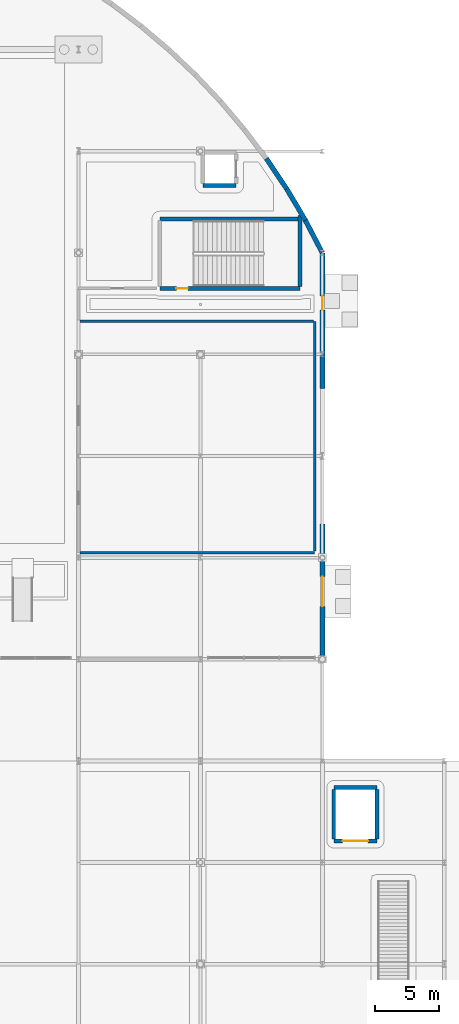
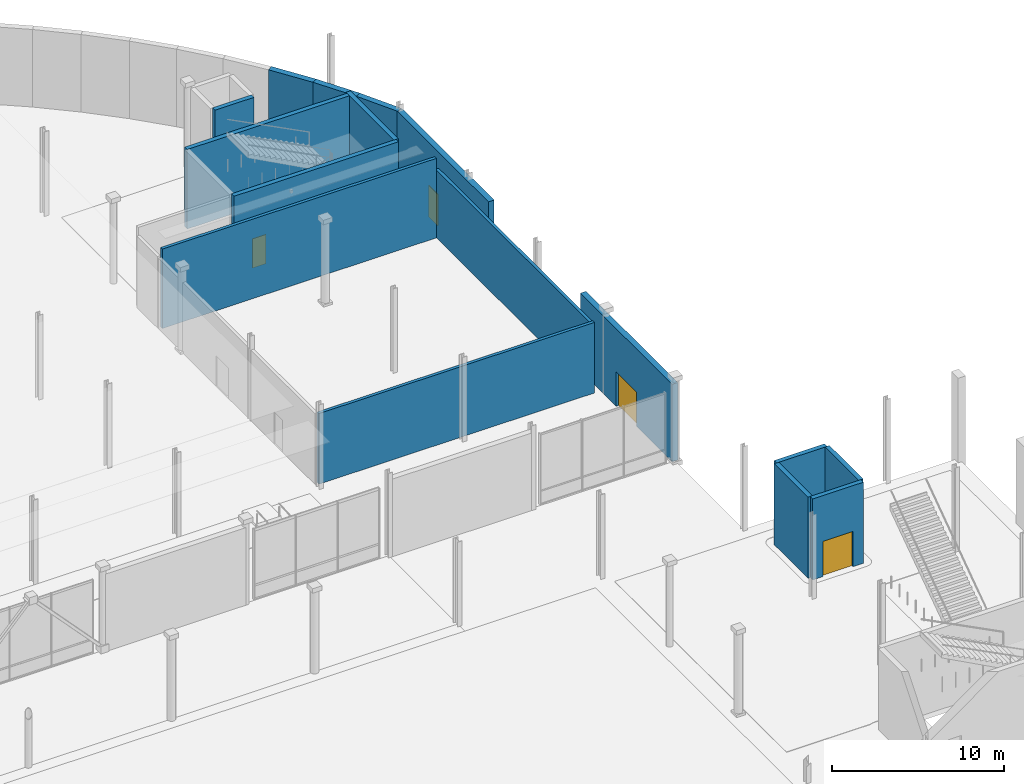
# One storey, part 85 of 124: 16 walls, 4 doors, 4 openings.
"""IFC4 building model written with IfcOpenShell, lengths in metres."""

from ifc_helpers import new_model, si_unit, direction, frame, frame_2d, origin, place, context, subcontext, project, spatial, rectangle, extrude, material, layer, layer_set, type_object, element, fill, save


model = new_model("IFC4")

# Units and contexts
model_context = context("Model", 3, precision=1e-05, world=origin(), true_north=direction((0.0, 1.0)))
body_context = subcontext(model_context, "Body", "Model", "MODEL_VIEW")
ifc_project = project(units=[si_unit("LENGTHUNIT", "METRE"), si_unit("AREAUNIT", "SQUARE_METRE"), si_unit("VOLUMEUNIT", "CUBIC_METRE"), si_unit("PLANEANGLEUNIT", "RADIAN"), si_unit("MASSUNIT", "GRAM", prefix="KILO")], contexts=[model_context])

# Site, building, storey
site_placement = place(None, origin())
site = spatial("IfcSite", under=ifc_project, at=site_placement, CompositionType="ELEMENT")
building_placement = place(site_placement, origin())
building = spatial("IfcBuilding", under=site, at=building_placement, Name="Danafjord Basin Convention Centre", CompositionType="ELEMENT")
storey_placement = place(building_placement, origin())
storey = spatial("IfcBuildingStorey", under=building, at=storey_placement, Name="L00", CompositionType="ELEMENT", Elevation=0.0)

# Wall, opening, door
ifc_material_1 = material(Name="Concrete C40/50", Category="concrete")
ifc_layer_1 = layer(ifc_material_1, 0.300048828125)
ifc_layer_set_1 = layer_set([ifc_layer_1], Name="Concrete C40/50")
wall_type_1 = type_object("IfcWallType", Name="WALL-CW-CORE300", PredefinedType="SHEAR", material=ifc_layer_set_1)
wall_1_placement = place(storey_placement, frame((199.840087890625, 117.199951171875, 0.0), z_axis=(0.0, 0.0, 1.0), x_axis=(-1.0, 0.0, 0.0)))
wall_1 = element("IfcWall", 1, at=wall_1_placement, inside=storey, type_object=wall_type_1, Name="Plenary North-East Core Stair 1 core shear wall (south)", PredefinedType="SHEAR", context=body_context, shape_type="SweptSolid", body=[
    extrude(rectangle(XDim=11.0400390625, YDim=0.300048828125, at=frame_2d((5.52001953125, 0.0))), origin(), (0.0, 0.0, 1.0), 5.639892578125),
])
opening_1_placement = place(wall_1_placement, frame((8.818115234375, 0.0, 0.0)))
opening_1 = element("IfcOpeningElement", 2, at=opening_1_placement, cuts=wall_1, Name="Opening FD-S01", PredefinedType="OPENING", context=body_context, shape_type="SweptSolid", body=[
    extrude(rectangle(XDim=0.909912109375, YDim=2.080078125, at=frame_2d((0.455078125, 1.0400390625))), frame((0.0, 0.159912109375, 0.0), z_axis=(0.0, -1.0, 0.0), x_axis=(1.0, 0.0, 0.0)), (0.0, 0.0, 1.0), 0.320068359375),
])
ifc_material_2 = material(Name="Powder-coated steel and Nordic oak", Category="steel")
door_type_1 = type_object("IfcDoorType", Name="DOOR-FD-S01", OperationType="NOTDEFINED", PredefinedType="DOOR", material=ifc_material_2)
door_1_placement = place(opening_1_placement, origin())
door_1 = element("IfcDoor", 3, at=door_1_placement, inside=storey, type_object=door_type_1, Name="Plenary North-East Core Stair 1 L00 Fire Exit Door", OperationType="SINGLE_SWING_LEFT", OverallHeight=2.080078125, OverallWidth=0.909912109375, PredefinedType="DOOR", context=body_context, shape_type="SweptSolid", body=[
    extrude(rectangle(XDim=0.909912109375, YDim=2.080078125, at=frame_2d((0.455078125, 1.0400390625))), frame((0.0, 0.02490234375, 0.0), z_axis=(0.0, -1.0, 0.0), x_axis=(1.0, 0.0, 0.0)), (0.0, 0.0, 1.0), 0.050048828125),
])
fill(opening_1, door_1)

# Walls
wall_2_placement = place(storey_placement, frame((199.840087890625, 122.922607421875, 0.0), z_axis=(0.0, 0.0, 1.0), x_axis=(0.0, -1.0, 0.0)))
element("IfcWall", 4, at=wall_2_placement, inside=storey, type_object=wall_type_1, Name="Plenary North-East Core Stair 1 core shear wall (east)", PredefinedType="SHEAR", context=body_context, shape_type="SweptSolid", body=[
    extrude(rectangle(XDim=5.587646484375, YDim=0.300048828125, at=frame_2d((2.7939453125, 0.0))), origin(), (0.0, 0.0, 1.0), 5.639892578125),
])
wall_3_placement = place(storey_placement, frame((188.800048828125, 122.659912109375, 0.0), z_axis=(0.0, 0.0, 1.0), x_axis=(1.0, 0.0, 0.0)))
element("IfcWall", 5, at=wall_3_placement, inside=storey, type_object=wall_type_1, Name="Plenary North-East Core Stair 1 core shear wall (north)", PredefinedType="SHEAR", context=body_context, shape_type="SweptSolid", body=[
    extrude(rectangle(XDim=10.905029296875, YDim=0.300048828125, at=frame_2d((5.45263671875, 0.0))), origin(), (0.0, 0.0, 1.0), 5.639892578125),
])
wall_4_placement = place(storey_placement, frame((192.199951171875, 125.300048828125, 0.0), z_axis=(0.0, 0.0, 1.0), x_axis=(1.0, 0.0, 0.0)))
element("IfcWall", 6, at=wall_4_placement, inside=storey, type_object=wall_type_1, Name="Lift LF-P05 shaft shear wall", PredefinedType="SHEAR", context=body_context, shape_type="SweptSolid", body=[
    extrude(rectangle(XDim=2.60009765625, YDim=0.300048828125, at=frame_2d((1.300048828125, 0.0))), origin(), (0.0, 0.0, 1.0), 5.639892578125),
])
wall_5_placement = place(storey_placement, frame((205.89990234375, 77.89990234375, 0.0), z_axis=(0.0, 0.0, 1.0), x_axis=(-1.0, 0.0, 0.0)))
element("IfcWall", 7, at=wall_5_placement, inside=storey, type_object=wall_type_1, Name="Lift LF-G02 shaft shear wall", PredefinedType="SHEAR", context=body_context, shape_type="SweptSolid", body=[
    extrude(rectangle(XDim=3.39990234375, YDim=0.300048828125, at=frame_2d((1.699951171875, 0.0))), origin(), (0.0, 0.0, 1.0), 5.75),
])

# Wall, opening, door
wall_6_placement = place(storey_placement, frame((202.5, 73.699951171875, 0.0), z_axis=(0.0, 0.0, 1.0), x_axis=(1.0, 0.0, 0.0)))
wall_6 = element("IfcWall", 8, at=wall_6_placement, inside=storey, type_object=wall_type_1, Name="Lift LF-G02 shaft shear wall", PredefinedType="SHEAR", context=body_context, shape_type="SweptSolid", body=[
    extrude(rectangle(XDim=3.39990234375, YDim=0.300048828125, at=frame_2d((1.699951171875, 0.0))), origin(), (0.0, 0.0, 1.0), 5.75),
])
opening_2_placement = place(wall_6_placement, frame((0.699951171875, 0.0, 0.0)))
opening_2 = element("IfcOpeningElement", 9, at=opening_2_placement, cuts=wall_6, Name="Opening LD-G01", PredefinedType="OPENING", context=body_context, shape_type="SweptSolid", body=[
    extrude(rectangle(XDim=2.0, YDim=2.5, at=frame_2d((1.0, 1.25))), frame((0.0, 0.159912109375, 0.0), z_axis=(0.0, -1.0, 0.0), x_axis=(1.0, 0.0, 0.0)), (0.0, 0.0, 1.0), 0.320068359375),
])
ifc_material_3 = material(Name="Brushed stainless steel and acoustic laminated glass", Category="steel")
door_type_2 = type_object("IfcDoorType", Name="DOOR-LD-G01", OperationType="DOUBLE_DOOR_SLIDING", PredefinedType="DOOR", material=ifc_material_3)
door_2_placement = place(opening_2_placement, origin())
door_2 = element("IfcDoor", 10, at=door_2_placement, inside=storey, type_object=door_type_2, Name="Lift LF-G02 L00 Landing Door", OperationType="DOUBLE_DOOR_SLIDING", OverallHeight=2.5, OverallWidth=2.0, PredefinedType="DOOR", context=body_context, shape_type="SweptSolid", body=[
    extrude(rectangle(XDim=2.0, YDim=2.5, at=frame_2d((1.0, 1.25))), frame((0.0, 0.02490234375, 0.0), z_axis=(0.0, -1.0, 0.0), x_axis=(1.0, 0.0, 0.0)), (0.0, 0.0, 1.0), 0.050048828125),
])
fill(opening_2, door_2)

# Walls
for number, where, z_axis, x_axis, name in (
    (11, (205.89990234375, 73.8349609375, 0.0), (0.0, 0.0, 1.0), (0.0, 1.0, 0.0), "Lift LF-G02 shaft shear wall"),
    (12, (202.5, 77.764892578125, 0.0), (0.0, 0.0, 1.0), (0.0, -1.0, 0.0), "Lift LF-G02 shaft shear wall"),
):
    element("IfcWall", number, at=place(storey_placement, frame(where, z_axis=z_axis, x_axis=x_axis)), inside=storey, type_object=wall_type_1, Name=name, PredefinedType="SHEAR", context=body_context, shape_type="SweptSolid", body=[
        extrude(rectangle(XDim=3.929931640625, YDim=0.300048828125, at=frame_2d((1.96484375, 0.0))), origin(), (0.0, 0.0, 1.0), 5.75),
    ])

# Wall, opening, door
ifc_material_4 = material(Name="Precast concrete C45/55", Category="concrete")
ifc_layer_2 = layer(ifc_material_4, 0.3798828125)
ifc_layer_set_2 = layer_set([ifc_layer_2], Name="Precast concrete C45/55")
wall_type_2 = type_object("IfcWallType", Name="WALL-EW-PC380", PredefinedType="SOLIDWALL", material=ifc_layer_set_2)
wall_7_placement = place(storey_placement, frame((201.60009765625, 88.0, 0.0), z_axis=(0.0, 0.0, 1.0), x_axis=(0.0, 1.0, 0.0)))
wall_7 = element("IfcWall", 13, at=wall_7_placement, inside=storey, type_object=wall_type_2, Name="L00 plenary drum precast facet wall", PredefinedType="SOLIDWALL", context=body_context, shape_type="SweptSolid", body=[
    extrude(rectangle(XDim=10.6669921875, YDim=0.3798828125, at=frame_2d((5.33349609375, 0.0))), origin(), (0.0, 0.0, 1.0), 5.5),
])
opening_3_placement = place(wall_7_placement, frame((4.1640625, 0.0, 0.0)))
opening_3 = element("IfcOpeningElement", 14, at=opening_3_placement, cuts=wall_7, Name="Opening ED-01", PredefinedType="OPENING", context=body_context, shape_type="SweptSolid", body=[
    extrude(rectangle(XDim=2.340087890625, YDim=2.419921875, at=frame_2d((1.169921875, 1.2099609375))), frame((0.0, 0.199951171875, 0.0), z_axis=(0.0, -1.0, 0.0), x_axis=(1.0, 0.0, 0.0)), (0.0, 0.0, 1.0), 0.39990234375),
])
ifc_material_5 = material(Name="Thermally broken anodised aluminium and steel", Category="steel")
door_type_3 = type_object("IfcDoorType", Name="DOOR-ED-01", OperationType="DOUBLE_DOOR_SINGLE_SWING", PredefinedType="DOOR", material=ifc_material_5)
door_3_placement = place(opening_3_placement, origin())
door_3 = element("IfcDoor", 15, at=door_3_placement, inside=storey, type_object=door_type_3, Name="Plenary Drum Exit Door", OperationType="DOUBLE_DOOR_SINGLE_SWING", OverallHeight=2.419921875, OverallWidth=2.340087890625, PredefinedType="DOOR", context=body_context, shape_type="SweptSolid", body=[
    extrude(rectangle(XDim=2.340087890625, YDim=2.419921875, at=frame_2d((1.169921875, 1.2099609375))), frame((0.0, 0.02490234375, 0.0), z_axis=(0.0, -1.0, 0.0), x_axis=(1.0, 0.0, 0.0)), (0.0, 0.0, 1.0), 0.050048828125),
])
fill(opening_3, door_3)

wall_8_placement = place(storey_placement, frame((201.60009765625, 120.0, 0.0), z_axis=(0.0, 0.0, 1.0), x_axis=(0.0, -1.0, 0.0)))
wall_8 = element("IfcWall", 16, at=wall_8_placement, inside=storey, type_object=wall_type_2, Name="L00 plenary drum precast facet wall", PredefinedType="SOLIDWALL", context=body_context, shape_type="SweptSolid", body=[
    extrude(rectangle(XDim=10.6669921875, YDim=0.3798828125, at=frame_2d((5.33349609375, 0.0))), origin(), (0.0, 0.0, 1.0), 5.5),
])
opening_4_placement = place(wall_8_placement, frame((3.39990234375, 0.0, 0.0)))
opening_4 = element("IfcOpeningElement", 17, at=opening_4_placement, cuts=wall_8, Name="Opening ED-06", PredefinedType="OPENING", context=body_context, shape_type="SweptSolid", body=[
    extrude(rectangle(XDim=1.090087890625, YDim=2.219970703125, at=frame_2d((0.544921875, 1.10986328125))), frame((0.0, 0.199951171875, 0.0), z_axis=(0.0, -1.0, 0.0), x_axis=(1.0, 0.0, 0.0)), (0.0, 0.0, 1.0), 0.39990234375),
])
door_type_4 = type_object("IfcDoorType", Name="DOOR-ED-06", OperationType="SINGLE_SWING_LEFT", PredefinedType="DOOR", material=ifc_material_5)
door_4_placement = place(opening_4_placement, origin())
door_4 = element("IfcDoor", 18, at=door_4_placement, inside=storey, type_object=door_type_4, Name="Plenary North-East Stair Final Exit Door", OperationType="SINGLE_SWING_LEFT", OverallHeight=2.219970703125, OverallWidth=1.090087890625, PredefinedType="DOOR", context=body_context, shape_type="SweptSolid", body=[
    extrude(rectangle(XDim=1.090087890625, YDim=2.219970703125, at=frame_2d((0.544921875, 1.10986328125))), frame((0.0, 0.02490234375, 0.0), z_axis=(0.0, -1.0, 0.0), x_axis=(1.0, 0.0, 0.0)), (0.0, 0.0, 1.0), 0.050048828125),
])
fill(opening_4, door_4)

# Walls
wall_9_placement = place(storey_placement, frame((201.60009765625, 120.0, 0.0), z_axis=(0.0, 0.0, 1.0), x_axis=(-0.462438550367, 0.886651333465, 0.0)))
element("IfcWall", 19, at=wall_9_placement, inside=storey, type_object=wall_type_2, Name="L00 plenary drum precast facet wall", PredefinedType="SOLIDWALL", context=body_context, shape_type="SweptSolid", body=[
    extrude(rectangle(XDim=2.88037109375, YDim=0.3798828125, at=frame_2d((1.440185546875, 0.0))), origin(), (0.0, 0.0, 1.0), 5.5),
])
wall_10_placement = place(storey_placement, frame((200.2783203125, 122.536865234375, 0.0), z_axis=(0.0, 0.0, 1.0), x_axis=(-0.510616534419, 0.859808557051, 0.0)))
element("IfcWall", 20, at=wall_10_placement, inside=storey, type_object=wall_type_2, Name="L00 plenary drum precast facet wall", PredefinedType="SOLIDWALL", context=body_context, shape_type="SweptSolid", body=[
    extrude(rectangle(XDim=2.90087890625, YDim=0.3798828125, at=frame_2d((1.450439453125, 0.0))), origin(), (0.0, 0.0, 1.0), 5.5),
])
wall_11_placement = place(storey_placement, frame((198.797119140625, 125.031005859375, 0.0), z_axis=(0.0, 0.0, 1.0), x_axis=(-0.55768775085, 0.830050825282, 0.0)))
element("IfcWall", 21, at=wall_11_placement, inside=storey, type_object=wall_type_2, Name="L00 plenary drum precast facet wall", PredefinedType="SOLIDWALL", context=body_context, shape_type="SweptSolid", body=[
    extrude(rectangle(XDim=2.8818359375, YDim=0.3798828125, at=frame_2d((1.44091796875, 0.0))), origin(), (0.0, 0.0, 1.0), 5.5),
])
ifc_material_6 = material(Name="Concrete C35/45", Category="concrete")
ifc_layer_3 = layer(ifc_material_6, 0.205078125)
ifc_layer_set_3 = layer_set([ifc_layer_3], Name="Concrete C35/45")
wall_type_3 = type_object("IfcWallType", Name="WALL-W-COMP205", PredefinedType="SOLIDWALL", material=ifc_layer_set_3)
wall_12_placement = place(storey_placement, frame((182.506591796875, 96.39990234375, 0.0), z_axis=(0.0, 0.0, 1.0), x_axis=(1.0, 0.0, 0.0)))
element("IfcWall", 22, at=wall_12_placement, inside=storey, type_object=wall_type_3, Name="Auditorium Wing Scenery Crate Store south partition", PredefinedType="SOLIDWALL", context=body_context, shape_type="SweptSolid", body=[
    extrude(rectangle(XDim=18.493408203125, YDim=0.205078125, at=frame_2d((9.24658203125, 0.0))), origin(), (0.0, 0.0, 1.0), 5.010009765625),
])
wall_13_placement = place(storey_placement, frame((201.0, 96.506591796875, 0.0), z_axis=(0.0, 0.0, 1.0), x_axis=(0.0, 1.0, 0.0)))
element("IfcWall", 23, at=wall_13_placement, inside=storey, type_object=wall_type_3, Name="Auditorium Wing Scenery Crate Store east partition", PredefinedType="SOLIDWALL", context=body_context, shape_type="SweptSolid", body=[
    extrude(rectangle(XDim=18.093505859375, YDim=0.205078125, at=frame_2d((9.046875, 0.0))), origin(), (0.0, 0.0, 1.0), 4.81005859375),
])
wall_14_placement = place(storey_placement, frame((200.8935546875, 114.60009765625, 0.0), z_axis=(0.0, 0.0, 1.0), x_axis=(-1.0, 0.0, 0.0)))
element("IfcWall", 24, at=wall_14_placement, inside=storey, type_object=wall_type_3, Name="Auditorium Wing Scenery Crate Store north partition", PredefinedType="SOLIDWALL", context=body_context, shape_type="SweptSolid", body=[
    extrude(rectangle(XDim=18.386962890625, YDim=0.205078125, at=frame_2d((9.193359375, 0.0))), origin(), (0.0, 0.0, 1.0), 5.639892578125),
])

save(model, "model.ifc")
